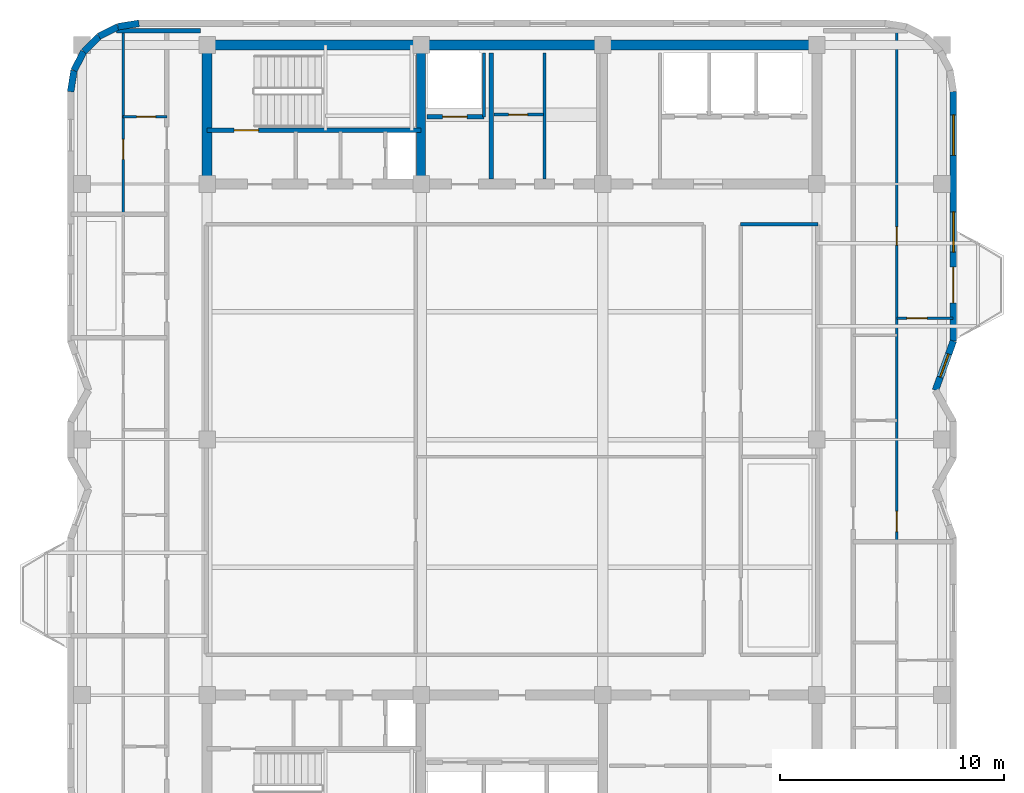
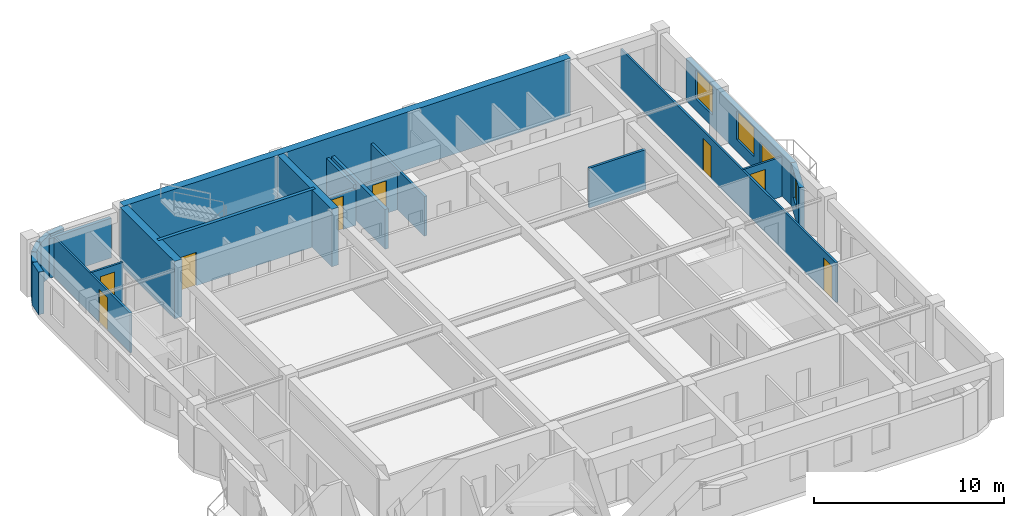
# One storey, part 6 of 9: 22 walls, 9 doors, 3 windows, 12 openings.
"""IFC4 building model written with IfcOpenShell, lengths in metres."""

import ifcopenshell
import ifcopenshell.guid

model = None  # the IFC model being written
_history = None  # IfcOwnerHistory: only IFC2X3 demands one
_inside = {}  # id of a spatial element -> (the spatial element, [elements in it])
_under = {}  # id of a project, library or spatial element -> (it, [spatial elements below it])
_declared = {}  # id of a project -> (the project, [libraries it declares])
_typed = {}  # id of a type object -> (the type object, [elements of that type])
_made_of = {}  # id of a material, layer set ... -> (it, [elements and type objects made of it])


def new_model(schema):
    """Start an empty IFC model of exactly this schema.

    Asked for "IFC4X3", IfcOpenShell would pick the latest addendum, in which some entities
    have other attributes; the version numbers below select the first issue.
    IFC2X3 requires an IfcOwnerHistory on every rooted entity: one is made here for all.
    """
    global model, _history
    if schema == "IFC4X3":
        model = ifcopenshell.file(schema_version=(4, 3, 0, 0))
    else:
        model = ifcopenshell.file(schema=schema)
    _inside.clear()
    _under.clear()
    _declared.clear()
    _typed.clear()
    _made_of.clear()
    _history = None
    if model.schema == "IFC2X3":
        org = make("IfcOrganization", Name="unknown")
        user = make(
            "IfcPersonAndOrganization",
            ThePerson=make("IfcPerson", FamilyName="unknown"),
            TheOrganization=org,
        )
        app = make(
            "IfcApplication",
            ApplicationDeveloper=org,
            Version="unknown",
            ApplicationFullName="unknown",
            ApplicationIdentifier="unknown",
        )
        _history = make(
            "IfcOwnerHistory",
            OwningUser=user,
            OwningApplication=app,
            ChangeAction="ADDED",
            CreationDate=0,
        )
    return model


def make(cls, **values):
    """One entity of the class cls with the attributes given. An attribute that is None is left unset."""
    return model.create_entity(
        cls, **{name: value for name, value in values.items() if value is not None}
    )


def rooted(cls, **values):
    """An entity with a GlobalId (a new one), such as an element, a storey or a relation."""
    return make(cls, GlobalId=ifcopenshell.guid.new(), OwnerHistory=_history, **values)


def si_unit(unit_type, name, prefix=None):
    """IfcSIUnit, for example si_unit("LENGTHUNIT", "METRE", prefix="MILLI")."""
    return make("IfcSIUnit", UnitType=unit_type, Prefix=prefix, Name=name)


def assignment(units):
    """IfcUnitAssignment: the units of a project."""
    return None if units is None else make("IfcUnitAssignment", Units=units)


def point(xyz):
    """IfcCartesianPoint."""
    return None if xyz is None else make("IfcCartesianPoint", Coordinates=xyz)


def direction(xyz):
    """IfcDirection."""
    return None if xyz is None else make("IfcDirection", DirectionRatios=xyz)


def frame(location, z_axis=None, x_axis=None):
    """IfcAxis2Placement3D, a coordinate frame: its origin and axes. An axis left out is left unset."""
    return make(
        "IfcAxis2Placement3D",
        Location=point(location),
        Axis=direction(z_axis),
        RefDirection=direction(x_axis),
    )


def frame_2d(location, x_axis=None):
    """IfcAxis2Placement2D, a coordinate frame in the plane: its origin and x axis."""
    return make(
        "IfcAxis2Placement2D", Location=point(location), RefDirection=direction(x_axis)
    )


def origin():
    """The frame at (0, 0, 0) with its axes left unset."""
    return frame((0.0, 0.0, 0.0))


def place(relative_to, where):
    """IfcLocalPlacement: puts the frame where relative to a parent placement (None: the world)."""
    return make(
        "IfcLocalPlacement", PlacementRelTo=relative_to, RelativePlacement=where
    )


def context(
    kind, dimensions, precision=None, world=None, true_north=None, identifier=None
):
    """IfcGeometricRepresentationContext, for example the 3D "Model" context."""
    return make(
        "IfcGeometricRepresentationContext",
        ContextIdentifier=identifier,
        ContextType=kind,
        CoordinateSpaceDimension=dimensions,
        Precision=precision,
        WorldCoordinateSystem=world,
        TrueNorth=true_north,
    )


def subcontext(parent, identifier, kind, view, scale=None):
    """IfcGeometricRepresentationSubContext, for example "Body" below "Model"."""
    return make(
        "IfcGeometricRepresentationSubContext",
        ContextIdentifier=identifier,
        ContextType=kind,
        ParentContext=parent,
        TargetScale=scale,
        TargetView=view,
    )


def project(units=None, contexts=None):
    """IfcProject with its units and contexts."""
    return rooted(
        "IfcProject",
        Name="project",
        RepresentationContexts=contexts,
        UnitsInContext=assignment(units),
    )


def spatial(cls, under=None, at=None, **own):
    """A site, building, storey or space (cls), placed at a placement, below another one or the project."""
    s = rooted(cls, ObjectPlacement=at, **own)
    if under is not None:
        _under.setdefault(under.id(), (under, []))[1].append(s)
    return s


def profile(cls, at=None, kind="AREA", **sizes):
    """A parametric profile (cls). Its sizes go by their IFC names, for example OverallWidth=200.0."""
    return make(cls, ProfileType=kind, Position=at, **sizes)


def rectangle(**sizes):
    """IfcRectangleProfileDef."""
    return profile("IfcRectangleProfileDef", **sizes)


def extrude(swept, where, along, depth):
    """IfcExtrudedAreaSolid: the profile swept, set in the frame where, extruded along a direction by depth."""
    return make(
        "IfcExtrudedAreaSolid",
        SweptArea=swept,
        Position=where,
        ExtrudedDirection=direction(along),
        Depth=depth,
    )


def shape(context_of_items, identifier, shape_type, items):
    """IfcShapeRepresentation: the items that make up one representation, for example the "Body"."""
    return make(
        "IfcShapeRepresentation",
        ContextOfItems=context_of_items,
        RepresentationIdentifier=identifier,
        RepresentationType=shape_type,
        Items=items,
    )


def material(Name=None, Category=None):
    """IfcMaterial."""
    return make("IfcMaterial", Name=Name, Category=Category)


def layer(
    of_material, thickness, ventilated=None, Name=None, Category=None, Priority=None
):
    """IfcMaterialLayer: one layer of a wall or slab, of a material (None: an air gap)."""
    return make(
        "IfcMaterialLayer",
        Material=of_material,
        LayerThickness=thickness,
        IsVentilated=ventilated,
        Name=Name,
        Category=Category,
        Priority=Priority,
    )


def layer_set(layers, Name=None):
    """IfcMaterialLayerSet."""
    return make("IfcMaterialLayerSet", MaterialLayers=layers, LayerSetName=Name)


def made_of(thing, what):
    """Note that an element or type object is made of a material, layer set ...; save() writes the relation."""
    if what is not None:
        _made_of.setdefault(what.id(), (what, []))[1].append(thing)
    return thing


def type_object(cls, material=None, **own):
    """A type object (cls), such as IfcWallType, which elements share."""
    return made_of(rooted(cls, **own), material)


def element(
    cls,
    number,
    at=None,
    inside=None,
    cuts=None,
    type_object=None,
    material=None,
    context=None,
    identifier="Body",
    shape_type=None,
    held_by="IfcProductDefinitionShape",
    body=None,
    shapes=None,
    **own,
):
    """One element of the class cls, such as IfcWall. Its Tag is "e" and its number.

    at: its placement. inside: the storey or other place that contains it. cuts: it is an
    opening in that element (IfcRelVoidsElement). A single representation is given by context,
    identifier, shape_type and body (its items); several are given by shapes. held_by: the class
    of the entity that holds the representations. save() writes the other relations.
    """
    e = rooted(cls, Tag="e%d" % number, ObjectPlacement=at, **own)
    if body is not None:
        shapes = [shape(context, identifier, shape_type, body)]
    if shapes is not None:
        e.Representation = make(held_by, Representations=shapes)
    if inside is not None:
        _inside.setdefault(inside.id(), (inside, []))[1].append(e)
    if cuts is not None:
        rooted(
            "IfcRelVoidsElement", RelatingBuildingElement=cuts, RelatedOpeningElement=e
        )
    if type_object is not None:
        _typed.setdefault(type_object.id(), (type_object, []))[1].append(e)
    return made_of(e, material)


def fill(opening, filler):
    """IfcRelFillsElement: the door or window that sits in an opening."""
    return rooted(
        "IfcRelFillsElement",
        RelatingOpeningElement=opening,
        RelatedBuildingElement=filler,
    )


def aggregate(whole, parts):
    """IfcRelAggregates: a whole, such as a stair, and the parts it consists of."""
    return rooted("IfcRelAggregates", RelatingObject=whole, RelatedObjects=parts)


def save(model, path):
    """Write the relations noted so far, then the file.

    IfcRelAggregates (storeys below a building ...), IfcRelContainedInSpatialStructure (elements
    in a storey), IfcRelDefinesByType, IfcRelAssociatesMaterial and IfcRelDeclares: one each for
    every whole, place, type object, material and project.
    """
    for whole, parts in _under.values():
        aggregate(whole, parts)
    for where, things in _inside.values():
        rooted(
            "IfcRelContainedInSpatialStructure",
            RelatedElements=things,
            RelatingStructure=where,
        )
    for kind, things in _typed.values():
        rooted("IfcRelDefinesByType", RelatedObjects=things, RelatingType=kind)
    for what, things in _made_of.values():
        rooted("IfcRelAssociatesMaterial", RelatedObjects=things, RelatingMaterial=what)
    for by, libraries in _declared.values():
        rooted("IfcRelDeclares", RelatingContext=by, RelatedDefinitions=libraries)
    model.write(path)


model = new_model("IFC4")

# Units and contexts
model_context = context("Model", 3, precision=1e-05, world=origin(), true_north=direction((0.0, 1.0)))
body_context = subcontext(model_context, "Body", "Model", "MODEL_VIEW")
ifc_project = project(units=[si_unit("LENGTHUNIT", "METRE"), si_unit("AREAUNIT", "SQUARE_METRE"), si_unit("VOLUMEUNIT", "CUBIC_METRE"), si_unit("PLANEANGLEUNIT", "RADIAN"), si_unit("MASSUNIT", "GRAM", prefix="KILO")], contexts=[model_context])

# Site, building, storey
site_placement = place(None, origin())
site = spatial("IfcSite", under=ifc_project, at=site_placement, CompositionType="ELEMENT")
building_placement = place(site_placement, origin())
building = spatial("IfcBuilding", under=site, at=building_placement, Name="Svetorya Sky Lyceum", CompositionType="ELEMENT")
storey_placement = place(building_placement, frame((0.0, 0.0, 271.300048828125)))
storey = spatial("IfcBuildingStorey", under=building, at=storey_placement, Name="L68", CompositionType="ELEMENT", Elevation=271.300048828125)

# Walls
ifc_material_1 = material(Name="Concrete C40/50", Category="concrete")
ifc_layer_1 = layer(ifc_material_1, 0.39990234375)
ifc_layer_set_1 = layer_set([ifc_layer_1], Name="Concrete C40/50")
wall_type_1 = type_object("IfcWallType", Name="WL-CORE-400", PredefinedType="SHEAR", material=ifc_layer_set_1)
wall_1_placement = place(storey_placement, frame((35.14990234375, 39.824951171875, 0.0), z_axis=(0.0, 0.0, 1.0), x_axis=(0.0, 1.0, 0.0)))
element("IfcWall", 1, at=wall_1_placement, inside=storey, type_object=wall_type_1, Name="L68 NC Internal Shear Web WEB1", PredefinedType="SHEAR", context=body_context, shape_type="SweptSolid", body=[
    extrude(rectangle(XDim=5.75, YDim=0.39990234375, at=frame_2d((2.875, 0.0))), origin(), (0.0, 0.0, 1.0), 3.699951171875),
])
ifc_material_2 = material(Name="Concrete C50/60", Category="concrete")
ifc_layer_2 = layer(ifc_material_2, 0.449951171875)
ifc_layer_set_2 = layer_set([ifc_layer_2], Name="Concrete C50/60")
wall_type_2 = type_object("IfcWallType", Name="WL-CORE-450", PredefinedType="SHEAR", material=ifc_layer_set_2)
wall_2_placement = place(storey_placement, frame((25.60009765625, 45.800048828125, 0.0), z_axis=(0.0, 0.0, 1.0), x_axis=(1.0, 0.0, 0.0)))
element("IfcWall", 2, at=wall_2_placement, inside=storey, type_object=wall_type_2, Name="L68 NC Outer Core Shear Wall", PredefinedType="SHEAR", context=body_context, shape_type="SweptSolid", body=[
    extrude(rectangle(XDim=27.199951171875, YDim=0.449951171875, at=frame_2d((13.60009765625, 0.0))), origin(), (0.0, 0.0, 1.0), 3.699951171875),
])
wall_3_placement = place(storey_placement, frame((25.60009765625, 39.824951171875, 0.0), z_axis=(0.0, 0.0, 1.0), x_axis=(0.0, 1.0, 0.0)))
element("IfcWall", 3, at=wall_3_placement, inside=storey, type_object=wall_type_2, Name="L68 NC West Core Shear Wall", PredefinedType="SHEAR", context=body_context, shape_type="SweptSolid", body=[
    extrude(rectangle(XDim=5.75, YDim=0.449951171875, at=frame_2d((2.875, 0.0))), origin(), (0.0, 0.0, 1.0), 3.699951171875),
])

# Wall, opening, window
ifc_material_3 = material(Name="Putilovo limestone rainscreen on autoclaved cellular masonry", Category="masonry")
ifc_layer_3 = layer(ifc_material_3, 0.300048828125)
ifc_layer_set_3 = layer_set([ifc_layer_3], Name="Putilovo limestone rainscreen on autoclaved cellular masonry")
wall_type_3 = type_object("IfcWallType", Name="WL-EXT-300", PredefinedType="SOLIDWALL", material=ifc_layer_set_3)
wall_4_placement = place(storey_placement, frame((58.090087890625, 30.39990234375, 0.0), z_axis=(0.0, 0.0, 1.0), x_axis=(0.341642580708, 0.939829956453, 0.0)))
wall_4 = element("IfcWall", 4, at=wall_4_placement, inside=storey, type_object=wall_type_3, Name="L68 Limestone Exterior Wall 17M", PredefinedType="SOLIDWALL", context=body_context, shape_type="SweptSolid", body=[
    extrude(rectangle(XDim=2.341064453125, YDim=0.300048828125, at=frame_2d((1.17041015625, 0.0))), origin(), (0.0, 0.0, 1.0), 2.72998046875),
])
opening_1_placement = place(wall_4_placement, frame((0.62060546875, 0.0, 0.919921875)))
opening_1 = element("IfcOpeningElement", 5, at=opening_1_placement, cuts=wall_4, Name="Opening W-R3", PredefinedType="OPENING", context=body_context, shape_type="SweptSolid", body=[
    extrude(rectangle(XDim=1.10009765625, YDim=1.64990234375, at=frame_2d((0.550048828125, 0.824951171875))), frame((0.0, 0.159912109375, 0.0), z_axis=(0.0, -1.0, 0.0), x_axis=(1.0, 0.0, 0.0)), (0.0, 0.0, 1.0), 0.320068359375),
])
ifc_material_4 = material(Name="Thermally broken aluminium frame with triple low-E glazing", Category="aluminium")
window_type_1 = type_object("IfcWindowType", Name="WN-RES-110", PartitioningType="SINGLE_PANEL", PredefinedType="WINDOW", material=ifc_material_4)
window_1_placement = place(opening_1_placement, origin())
window_1 = element("IfcWindow", 6, at=window_1_placement, inside=storey, type_object=window_type_1, Name="L68 Facade Window W-R3.17M.1", OverallHeight=1.64990234375, OverallWidth=1.10009765625, PartitioningType="SINGLE_PANEL", PredefinedType="WINDOW", context=body_context, shape_type="SweptSolid", body=[
    extrude(rectangle(XDim=1.10009765625, YDim=1.64990234375, at=frame_2d((0.550048828125, 0.824951171875))), frame((0.0, 0.030029296875, 0.0), z_axis=(0.0, -1.0, 0.0), x_axis=(1.0, 0.0, 0.0)), (0.0, 0.0, 1.0), 0.06005859375),
])
fill(opening_1, window_1)

# Wall, openings, door, windows
wall_5_placement = place(storey_placement, frame((58.889892578125, 32.60009765625, 0.0), z_axis=(0.0, 0.0, 1.0), x_axis=(0.0, 1.0, 0.0)))
wall_5 = element("IfcWall", 7, at=wall_5_placement, inside=storey, type_object=wall_type_3, Name="L68 Limestone Exterior Wall 18M", PredefinedType="SOLIDWALL", context=body_context, shape_type="SweptSolid", body=[
    extrude(rectangle(XDim=11.119873046875, YDim=0.300048828125, at=frame_2d((5.56005859375, 0.0))), origin(), (0.0, 0.0, 1.0), 2.72998046875),
])
opening_2_placement = place(wall_5_placement, frame((1.699951171875, 0.0, 0.0)))
opening_2 = element("IfcOpeningElement", 8, at=opening_2_placement, cuts=wall_5, Name="Opening D-BL1", PredefinedType="OPENING", context=body_context, shape_type="SweptSolid", body=[
    extrude(rectangle(XDim=1.60009765625, YDim=2.10009765625, at=frame_2d((0.800048828125, 1.050048828125))), frame((0.0, 0.159912109375, 0.0), z_axis=(0.0, -1.0, 0.0), x_axis=(1.0, 0.0, 0.0)), (0.0, 0.0, 1.0), 0.320068359375),
])
opening_3_placement = place(wall_5_placement, frame((3.9599609375, 0.0, 0.760009765625)))
opening_3 = element("IfcOpeningElement", 9, at=opening_3_placement, cuts=wall_5, Name="Opening W-R1", PredefinedType="OPENING", context=body_context, shape_type="SweptSolid", body=[
    extrude(rectangle(XDim=1.800048828125, YDim=1.85009765625, at=frame_2d((0.89990234375, 0.925048828125))), frame((0.0, 0.159912109375, 0.0), z_axis=(0.0, -1.0, 0.0), x_axis=(1.0, 0.0, 0.0)), (0.0, 0.0, 1.0), 0.320068359375),
])
opening_4_placement = place(wall_5_placement, frame((8.283203125, 0.0, 0.760009765625)))
opening_4 = element("IfcOpeningElement", 10, at=opening_4_placement, cuts=wall_5, Name="Opening W-R1", PredefinedType="OPENING", context=body_context, shape_type="SweptSolid", body=[
    extrude(rectangle(XDim=1.800048828125, YDim=1.85009765625, at=frame_2d((0.89990234375, 0.925048828125))), frame((0.0, 0.159912109375, 0.0), z_axis=(0.0, -1.0, 0.0), x_axis=(1.0, 0.0, 0.0)), (0.0, 0.0, 1.0), 0.320068359375),
])
ifc_material_5 = material(Name="Insulated glazed aluminium balcony door", Category="aluminium")
door_type_1 = type_object("IfcDoorType", Name="DR-BAL-1600", OperationType="DOUBLE_DOOR_SINGLE_SWING", PredefinedType="DOOR", material=ifc_material_5)
door_1_placement = place(opening_2_placement, origin())
door_1 = element("IfcDoor", 11, at=door_1_placement, inside=storey, type_object=door_type_1, Name="L68 Balcony BAL-E1 Door", OperationType="DOUBLE_DOOR_SINGLE_SWING", OverallHeight=2.10009765625, OverallWidth=1.60009765625, PredefinedType="DOOR", context=body_context, shape_type="SweptSolid", body=[
    extrude(rectangle(XDim=1.60009765625, YDim=2.10009765625, at=frame_2d((0.800048828125, 1.050048828125))), frame((0.0, 0.02490234375, 0.0), z_axis=(0.0, -1.0, 0.0), x_axis=(1.0, 0.0, 0.0)), (0.0, 0.0, 1.0), 0.050048828125),
])
fill(opening_2, door_1)
window_type_2 = type_object("IfcWindowType", Name="WN-RES-180", PartitioningType="DOUBLE_PANEL_VERTICAL", PredefinedType="WINDOW", material=ifc_material_4)
window_2_placement = place(opening_3_placement, origin())
window_2 = element("IfcWindow", 12, at=window_2_placement, inside=storey, type_object=window_type_2, Name="L68 Facade Window W-R1.18M.1", OverallHeight=1.85009765625, OverallWidth=1.800048828125, PartitioningType="SINGLE_PANEL", PredefinedType="WINDOW", context=body_context, shape_type="SweptSolid", body=[
    extrude(rectangle(XDim=1.800048828125, YDim=1.85009765625, at=frame_2d((0.89990234375, 0.925048828125))), frame((0.0, 0.030029296875, 0.0), z_axis=(0.0, -1.0, 0.0), x_axis=(1.0, 0.0, 0.0)), (0.0, 0.0, 1.0), 0.06005859375),
])
fill(opening_3, window_2)
window_3_placement = place(opening_4_placement, origin())
window_3 = element("IfcWindow", 13, at=window_3_placement, inside=storey, type_object=window_type_2, Name="L68 Facade Window W-R1.18M.2", OverallHeight=1.85009765625, OverallWidth=1.800048828125, PartitioningType="SINGLE_PANEL", PredefinedType="WINDOW", context=body_context, shape_type="SweptSolid", body=[
    extrude(rectangle(XDim=1.800048828125, YDim=1.85009765625, at=frame_2d((0.89990234375, 0.925048828125))), frame((0.0, 0.030029296875, 0.0), z_axis=(0.0, -1.0, 0.0), x_axis=(1.0, 0.0, 0.0)), (0.0, 0.0, 1.0), 0.06005859375),
])
fill(opening_4, window_3)

# Walls
wall_6_placement = place(storey_placement, frame((22.56005859375, 46.77001953125, 0.0), z_axis=(0.0, 0.0, 1.0), x_axis=(-0.987669453596, -0.156553666304, 0.0)))
element("IfcWall", 14, at=wall_6_placement, inside=storey, type_object=wall_type_3, Name="L68 Limestone Exterior Wall 25M", PredefinedType="SOLIDWALL", context=body_context, shape_type="SweptSolid", body=[
    extrude(rectangle(XDim=0.954345703125, YDim=0.300048828125, at=frame_2d((0.47705078125, 0.0))), origin(), (0.0, 0.0, 1.0), 2.72998046875),
])
wall_7_placement = place(storey_placement, frame((21.617431640625, 46.62060546875, 0.0), z_axis=(0.0, 0.0, 1.0), x_axis=(-0.891023873617, -0.45395644796, 0.0)))
element("IfcWall", 15, at=wall_7_placement, inside=storey, type_object=wall_type_3, Name="L68 Limestone Exterior Wall 26M", PredefinedType="SOLIDWALL", context=body_context, shape_type="SweptSolid", body=[
    extrude(rectangle(XDim=0.9541015625, YDim=0.300048828125, at=frame_2d((0.47705078125, 0.0))), origin(), (0.0, 0.0, 1.0), 2.72998046875),
])
wall_8_placement = place(storey_placement, frame((20.767333984375, 46.1875, 0.0), z_axis=(0.0, 0.0, 1.0), x_axis=(-0.707106781187, -0.707106781187, 0.0)))
element("IfcWall", 16, at=wall_8_placement, inside=storey, type_object=wall_type_3, Name="L68 Limestone Exterior Wall 27M", PredefinedType="SOLIDWALL", context=body_context, shape_type="SweptSolid", body=[
    extrude(rectangle(XDim=0.954345703125, YDim=0.300048828125, at=frame_2d((0.47705078125, 0.0))), origin(), (0.0, 0.0, 1.0), 2.72998046875),
])
wall_9_placement = place(storey_placement, frame((20.092529296875, 45.5126953125, 0.0), z_axis=(0.0, 0.0, 1.0), x_axis=(-0.454159573051, -0.890920356825, 0.0)))
element("IfcWall", 17, at=wall_9_placement, inside=storey, type_object=wall_type_3, Name="L68 Limestone Exterior Wall 28M", PredefinedType="SOLIDWALL", context=body_context, shape_type="SweptSolid", body=[
    extrude(rectangle(XDim=0.9541015625, YDim=0.300048828125, at=frame_2d((0.47705078125, 0.0))), origin(), (0.0, 0.0, 1.0), 2.72998046875),
])
wall_10_placement = place(storey_placement, frame((19.6591796875, 44.66259765625, 0.0), z_axis=(0.0, 0.0, 1.0), x_axis=(-0.156304114255, -0.987708977314, 0.0)))
element("IfcWall", 18, at=wall_10_placement, inside=storey, type_object=wall_type_3, Name="L68 Limestone Exterior Wall 29M", PredefinedType="SOLIDWALL", context=body_context, shape_type="SweptSolid", body=[
    extrude(rectangle(XDim=0.954345703125, YDim=0.300048828125, at=frame_2d((0.47705078125, 0.0))), origin(), (0.0, 0.0, 1.0), 2.72998046875),
])

# Wall, opening, door
ifc_material_6 = material(Name="Twin-stud galvanized framing with double fireboard", Category="gypsum")
ifc_layer_4 = layer(ifc_material_6, 0.1201171875)
ifc_layer_set_4 = layer_set([ifc_layer_4], Name="Twin-stud galvanized framing with double fireboard")
wall_type_4 = type_object("IfcWallType", Name="WL-PART-120", PredefinedType="PARTITIONING", material=ifc_layer_set_4)
wall_11_placement = place(storey_placement, frame((38.39990234375, 42.699951171875, 0.0), z_axis=(0.0, 0.0, 1.0), x_axis=(1.0, 0.0, 0.0)))
wall_11 = element("IfcWall", 19, at=wall_11_placement, inside=storey, type_object=wall_type_4, Name="L68 Interior Partition NC-FPM-H", PredefinedType="PARTITIONING", context=body_context, shape_type="SweptSolid", body=[
    extrude(rectangle(XDim=2.2001953125, YDim=0.1201171875, at=frame_2d((1.10009765625, 0.0))), origin(), (0.0, 0.0, 1.0), 2.329833984375),
])
opening_5_placement = place(wall_11_placement, frame((0.64990234375, 0.0, 0.0)))
opening_5 = element("IfcOpeningElement", 20, at=opening_5_placement, cuts=wall_11, Name="Opening D-CWC1", PredefinedType="OPENING", context=body_context, shape_type="SweptSolid", body=[
    extrude(rectangle(XDim=0.85009765625, YDim=2.10009765625, at=frame_2d((0.425048828125, 1.050048828125))), frame((0.0, 0.070068359375, 0.0), z_axis=(0.0, -1.0, 0.0), x_axis=(1.0, 0.0, 0.0)), (0.0, 0.0, 1.0), 0.14013671875),
])
ifc_material_7 = material(Name="Fire-rated galvanized steel core service closet door", Category="steel")
door_type_2 = type_object("IfcDoorType", Name="DR-CWET-850", OperationType="SINGLE_SWING_LEFT", PredefinedType="DOOR", material=ifc_material_7)
door_2_placement = place(opening_5_placement, origin())
door_2 = element("IfcDoor", 21, at=door_2_placement, inside=storey, type_object=door_type_2, Name="L68 Rear IT Closet Door", OperationType="SINGLE_SWING_LEFT", OverallHeight=2.10009765625, OverallWidth=0.85009765625, PredefinedType="DOOR", context=body_context, shape_type="SweptSolid", body=[
    extrude(rectangle(XDim=0.85009765625, YDim=2.10009765625, at=frame_2d((0.425048828125, 1.050048828125))), frame((0.0, 0.02490234375, 0.0), z_axis=(0.0, -1.0, 0.0), x_axis=(1.0, 0.0, 0.0)), (0.0, 0.0, 1.0), 0.050048828125),
])
fill(opening_5, door_2)

wall_12_placement = place(storey_placement, frame((21.85009765625, 42.60009765625, 0.0), z_axis=(0.0, 0.0, 1.0), x_axis=(1.0, 0.0, 0.0)))
wall_12 = element("IfcWall", 22, at=wall_12_placement, inside=storey, type_object=wall_type_4, Name="L68 Interior Partition W4-WH1", PredefinedType="PARTITIONING", context=body_context, shape_type="SweptSolid", body=[
    extrude(rectangle(XDim=1.949951171875, YDim=0.1201171875, at=frame_2d((0.97509765625, 0.0))), origin(), (0.0, 0.0, 1.0), 2.56005859375),
])
opening_6_placement = place(wall_12_placement, frame((0.60009765625, 0.0, 0.0)))
opening_6 = element("IfcOpeningElement", 23, at=opening_6_placement, cuts=wall_12, Name="Opening D-BT1", PredefinedType="OPENING", context=body_context, shape_type="SweptSolid", body=[
    extrude(rectangle(XDim=0.85009765625, YDim=2.10009765625, at=frame_2d((0.425048828125, 1.050048828125))), frame((0.0, 0.070068359375, 0.0), z_axis=(0.0, -1.0, 0.0), x_axis=(1.0, 0.0, 0.0)), (0.0, 0.0, 1.0), 0.14013671875),
])
ifc_material_8 = material(Name="Moisture-resistant laminate bathroom door")
door_type_3 = type_object("IfcDoorType", Name="DR-WET-850", OperationType="SINGLE_SWING_LEFT", PredefinedType="DOOR", material=ifc_material_8)
door_3_placement = place(opening_6_placement, origin())
door_3 = element("IfcDoor", 24, at=door_3_placement, inside=storey, type_object=door_type_3, Name="Apartment W4 Bathroom Door", OperationType="SINGLE_SWING_RIGHT", OverallHeight=2.10009765625, OverallWidth=0.85009765625, PredefinedType="DOOR", context=body_context, shape_type="SweptSolid", body=[
    extrude(rectangle(XDim=0.85009765625, YDim=2.10009765625, at=frame_2d((0.425048828125, 1.050048828125))), frame((0.0, 0.02490234375, 0.0), z_axis=(0.0, -1.0, 0.0), x_axis=(1.0, 0.0, 0.0)), (0.0, 0.0, 1.0), 0.050048828125),
])
fill(opening_6, door_3)

wall_13_placement = place(storey_placement, frame((21.85009765625, 38.2900390625, 0.0), z_axis=(0.0, 0.0, 1.0), x_axis=(0.0, 1.0, 0.0)))
wall_13 = element("IfcWall", 25, at=wall_13_placement, inside=storey, type_object=wall_type_4, Name="L68 Interior Partition W4-WV", PredefinedType="PARTITIONING", context=body_context, shape_type="SweptSolid", body=[
    extrude(rectangle(XDim=8.119873046875, YDim=0.1201171875, at=frame_2d((4.06005859375, 0.0))), origin(), (0.0, 0.0, 1.0), 2.56005859375),
])
opening_7_placement = place(wall_13_placement, frame((2.409912109375, 0.0, 0.0)))
opening_7 = element("IfcOpeningElement", 26, at=opening_7_placement, cuts=wall_13, Name="Opening D-RM1", PredefinedType="OPENING", context=body_context, shape_type="SweptSolid", body=[
    extrude(rectangle(XDim=0.89990234375, YDim=2.10009765625, at=frame_2d((0.449951171875, 1.050048828125))), frame((0.0, 0.070068359375, 0.0), z_axis=(0.0, -1.0, 0.0), x_axis=(1.0, 0.0, 0.0)), (0.0, 0.0, 1.0), 0.14013671875),
])
ifc_material_9 = material(Name="Lacquered birch veneer internal door")
door_type_4 = type_object("IfcDoorType", Name="DR-INT-900", OperationType="SINGLE_SWING_LEFT", PredefinedType="DOOR", material=ifc_material_9)
door_4_placement = place(opening_7_placement, origin())
door_4 = element("IfcDoor", 27, at=door_4_placement, inside=storey, type_object=door_type_4, Name="Apartment W4 Living Door", OperationType="SINGLE_SWING_LEFT", OverallHeight=2.10009765625, OverallWidth=0.89990234375, PredefinedType="DOOR", context=body_context, shape_type="SweptSolid", body=[
    extrude(rectangle(XDim=0.89990234375, YDim=2.10009765625, at=frame_2d((0.449951171875, 1.050048828125))), frame((0.0, 0.02490234375, 0.0), z_axis=(0.0, -1.0, 0.0), x_axis=(1.0, 0.0, 0.0)), (0.0, 0.0, 1.0), 0.050048828125),
])
fill(opening_7, door_4)

wall_14_placement = place(storey_placement, frame((56.3701171875, 33.6201171875, 0.0), z_axis=(0.0, 0.0, 1.0), x_axis=(1.0, 0.0, 0.0)))
wall_14 = element("IfcWall", 28, at=wall_14_placement, inside=storey, type_object=wall_type_4, Name="L68 Interior Partition E2-WL1", PredefinedType="PARTITIONING", context=body_context, shape_type="SweptSolid", body=[
    extrude(rectangle(XDim=2.5, YDim=0.1201171875, at=frame_2d((1.25, 0.0))), origin(), (0.0, 0.0, 1.0), 2.56005859375),
])
opening_8_placement = place(wall_14_placement, frame((0.449951171875, 0.0, 0.0)))
opening_8 = element("IfcOpeningElement", 29, at=opening_8_placement, cuts=wall_14, Name="Opening D-RM1", PredefinedType="OPENING", context=body_context, shape_type="SweptSolid", body=[
    extrude(rectangle(XDim=0.89990234375, YDim=2.10009765625, at=frame_2d((0.449951171875, 1.050048828125))), frame((0.0, 0.070068359375, 0.0), z_axis=(0.0, -1.0, 0.0), x_axis=(1.0, 0.0, 0.0)), (0.0, 0.0, 1.0), 0.14013671875),
])
door_5_placement = place(opening_8_placement, origin())
door_5 = element("IfcDoor", 30, at=door_5_placement, inside=storey, type_object=door_type_4, Name="Apartment E2 Bedroom 1 Door", OperationType="SINGLE_SWING_LEFT", OverallHeight=2.10009765625, OverallWidth=0.89990234375, PredefinedType="DOOR", context=body_context, shape_type="SweptSolid", body=[
    extrude(rectangle(XDim=0.89990234375, YDim=2.10009765625, at=frame_2d((0.449951171875, 1.050048828125))), frame((0.0, 0.02490234375, 0.0), z_axis=(0.0, -1.0, 0.0), x_axis=(1.0, 0.0, 0.0)), (0.0, 0.0, 1.0), 0.050048828125),
])
fill(opening_8, door_5)

# Wall, openings, doors
wall_15_placement = place(storey_placement, frame((56.3701171875, 23.68994140625, 0.0), z_axis=(0.0, 0.0, 1.0), x_axis=(0.0, 1.0, 0.0)))
wall_15 = element("IfcWall", 31, at=wall_15_placement, inside=storey, type_object=wall_type_4, Name="L68 Interior Partition E2-WV", PredefinedType="PARTITIONING", context=body_context, shape_type="SweptSolid", body=[
    extrude(rectangle(XDim=22.719970703125, YDim=0.1201171875, at=frame_2d((11.35986328125, 0.0))), origin(), (0.0, 0.0, 1.0), 2.56005859375),
])
opening_9_placement = place(wall_15_placement, frame((0.409912109375, 0.0, 0.0)))
opening_9 = element("IfcOpeningElement", 32, at=opening_9_placement, cuts=wall_15, Name="Opening D-RM1", PredefinedType="OPENING", context=body_context, shape_type="SweptSolid", body=[
    extrude(rectangle(XDim=0.89990234375, YDim=2.10009765625, at=frame_2d((0.449951171875, 1.050048828125))), frame((0.0, 0.070068359375, 0.0), z_axis=(0.0, -1.0, 0.0), x_axis=(1.0, 0.0, 0.0)), (0.0, 0.0, 1.0), 0.14013671875),
])
opening_10_placement = place(wall_15_placement, frame((13.18505859375, 0.0, 0.0)))
opening_10 = element("IfcOpeningElement", 33, at=opening_10_placement, cuts=wall_15, Name="Opening D-BT2", PredefinedType="OPENING", context=body_context, shape_type="SweptSolid", body=[
    extrude(rectangle(XDim=0.820068359375, YDim=2.080078125, at=frame_2d((0.41015625, 1.0400390625))), frame((0.0, 0.070068359375, 0.0), z_axis=(0.0, -1.0, 0.0), x_axis=(1.0, 0.0, 0.0)), (0.0, 0.0, 1.0), 0.14013671875),
])
door_6_placement = place(opening_9_placement, origin())
door_6 = element("IfcDoor", 34, at=door_6_placement, inside=storey, type_object=door_type_4, Name="Apartment E2 Living Door", OperationType="SINGLE_SWING_RIGHT", OverallHeight=2.10009765625, OverallWidth=0.89990234375, PredefinedType="DOOR", context=body_context, shape_type="SweptSolid", body=[
    extrude(rectangle(XDim=0.89990234375, YDim=2.10009765625, at=frame_2d((0.449951171875, 1.050048828125))), frame((0.0, 0.02490234375, 0.0), z_axis=(0.0, -1.0, 0.0), x_axis=(1.0, 0.0, 0.0)), (0.0, 0.0, 1.0), 0.050048828125),
])
fill(opening_9, door_6)
ifc_material_10 = material(Name="Compact moisture-resistant laminate closet door")
door_type_5 = type_object("IfcDoorType", Name="DR-WET-820", OperationType="SINGLE_SWING_LEFT", PredefinedType="DOOR", material=ifc_material_10)
door_7_placement = place(opening_10_placement, origin())
door_7 = element("IfcDoor", 35, at=door_7_placement, inside=storey, type_object=door_type_5, Name="Apartment E2 Study Door", OperationType="SINGLE_SWING_LEFT", OverallHeight=2.080078125, OverallWidth=0.820068359375, PredefinedType="DOOR", context=body_context, shape_type="SweptSolid", body=[
    extrude(rectangle(XDim=0.820068359375, YDim=2.080078125, at=frame_2d((0.41015625, 1.0400390625))), frame((0.0, 0.02490234375, 0.0), z_axis=(0.0, -1.0, 0.0), x_axis=(1.0, 0.0, 0.0)), (0.0, 0.0, 1.0), 0.050048828125),
])
fill(opening_10, door_7)

# Walls
ifc_material_11 = material(Name="Autoclaved cellular masonry blockwork with acoustic render", Category="masonry")
ifc_layer_5 = layer(ifc_material_11, 0.14990234375)
ifc_layer_set_5 = layer_set([ifc_layer_5], Name="Autoclaved cellular masonry blockwork with acoustic render")
wall_type_5 = type_object("IfcWallType", Name="WL-PART-150", PredefinedType="PARTITIONING", material=ifc_layer_set_5)
wall_16_placement = place(storey_placement, frame((37.949951171875, 42.60009765625, 0.0), z_axis=(0.0, 0.0, 1.0), x_axis=(0.0, 1.0, 0.0)))
element("IfcWall", 36, at=wall_16_placement, inside=storey, type_object=wall_type_5, Name="L68 Interior Partition NC-FL1SIDE", PredefinedType="PARTITIONING", context=body_context, shape_type="SweptSolid", body=[
    extrude(rectangle(XDim=2.849853515625, YDim=0.14990234375, at=frame_2d((1.4248046875, 0.0))), origin(), (0.0, 0.0, 1.0), 2.56005859375),
])
wall_17_placement = place(storey_placement, frame((40.64990234375, 39.820068359375, 0.0), z_axis=(0.0, 0.0, 1.0), x_axis=(0.0, 1.0, 0.0)))
element("IfcWall", 37, at=wall_17_placement, inside=storey, type_object=wall_type_5, Name="L68 Interior Partition NC-FPM-V", PredefinedType="PARTITIONING", context=body_context, shape_type="SweptSolid", body=[
    extrude(rectangle(XDim=5.6298828125, YDim=0.14990234375, at=frame_2d((2.81494140625, 0.0))), origin(), (0.0, 0.0, 1.0), 2.56005859375),
])
wall_18_placement = place(storey_placement, frame((49.39990234375, 37.800048828125, 0.0), z_axis=(0.0, 0.0, 1.0), x_axis=(1.0, 0.0, 0.0)))
element("IfcWall", 38, at=wall_18_placement, inside=storey, type_object=wall_type_5, Name="L68 Interior Partition OFF-CN-E", PredefinedType="PARTITIONING", context=body_context, shape_type="SweptSolid", body=[
    extrude(rectangle(XDim=3.4501953125, YDim=0.14990234375, at=frame_2d((1.72509765625, 0.0))), origin(), (0.0, 0.0, 1.0), 2.56005859375),
])

# Wall, opening, door
ifc_material_12 = material(Name="Autoclaved cellular masonry blockwork with gypsum plaster", Category="masonry")
ifc_layer_6 = layer(ifc_material_12, 0.199951171875)
ifc_layer_set_6 = layer_set([ifc_layer_6], Name="Autoclaved cellular masonry blockwork with gypsum plaster")
wall_type_6 = type_object("IfcWallType", Name="WL-PART-200", PredefinedType="PARTITIONING", material=ifc_layer_set_6)
wall_19_placement = place(storey_placement, frame((37.949951171875, 42.60009765625, 0.0), z_axis=(0.0, 0.0, 1.0), x_axis=(-1.0, 0.0, 0.0)))
wall_19 = element("IfcWall", 39, at=wall_19_placement, inside=storey, type_object=wall_type_6, Name="L68 Interior Partition NC-FL1W", PredefinedType="PARTITIONING", context=body_context, shape_type="SweptSolid", body=[
    extrude(rectangle(XDim=2.550048828125, YDim=0.199951171875, at=frame_2d((1.27490234375, 0.0))), origin(), (0.0, 0.0, 1.0), 2.329833984375),
])
opening_11_placement = place(wall_19_placement, frame((0.75, 0.0, 0.0)))
opening_11 = element("IfcOpeningElement", 40, at=opening_11_placement, cuts=wall_19, Name="Opening LD-FL", PredefinedType="OPENING", context=body_context, shape_type="SweptSolid", body=[
    extrude(rectangle(XDim=1.10009765625, YDim=2.14990234375, at=frame_2d((0.550048828125, 1.074951171875))), frame((0.0, 0.10986328125, 0.0), z_axis=(0.0, -1.0, 0.0), x_axis=(1.0, 0.0, 0.0)), (0.0, 0.0, 1.0), 0.219970703125),
])
ifc_material_13 = material(Name="Fire-rated stainless AISI 304 firefighting lift landing door")
door_type_6 = type_object("IfcDoorType", Name="DR-LIFT-1100", OperationType="SLIDING_TO_LEFT", PredefinedType="DOOR", material=ifc_material_13)
door_8_placement = place(opening_11_placement, origin())
door_8 = element("IfcDoor", 41, at=door_8_placement, inside=storey, type_object=door_type_6, Name="L68 Firefighting Lift FL1 Landing Door", OperationType="SLIDING_TO_LEFT", OverallHeight=2.14990234375, OverallWidth=1.10009765625, PredefinedType="DOOR", context=body_context, shape_type="SweptSolid", body=[
    extrude(rectangle(XDim=1.10009765625, YDim=2.14990234375, at=frame_2d((0.550048828125, 1.074951171875))), frame((0.0, 0.02490234375, 0.0), z_axis=(0.0, -1.0, 0.0), x_axis=(1.0, 0.0, 0.0)), (0.0, 0.0, 1.0), 0.050048828125),
])
fill(opening_11, door_8)

# Walls
wall_20_placement = place(storey_placement, frame((38.280029296875, 39.820068359375, 0.0), z_axis=(0.0, 0.0, 1.0), x_axis=(0.0, 1.0, 0.0)))
element("IfcWall", 42, at=wall_20_placement, inside=storey, type_object=wall_type_6, Name="L68 Interior Partition NC-FFLDIV", PredefinedType="PARTITIONING", context=body_context, shape_type="SweptSolid", body=[
    extrude(rectangle(XDim=5.6298828125, YDim=0.199951171875, at=frame_2d((2.81494140625, 0.0))), origin(), (0.0, 0.0, 1.0), 2.56005859375),
])
wall_21_placement = place(storey_placement, frame((21.5458984375, 46.449951171875, 0.0), z_axis=(0.0, 0.0, 1.0), x_axis=(1.0, 0.0, 0.0)))
element("IfcWall", 43, at=wall_21_placement, inside=storey, type_object=wall_type_6, Name="L68 Interior Partition W-CAP-N", PredefinedType="PARTITIONING", context=body_context, shape_type="SweptSolid", body=[
    extrude(rectangle(XDim=3.754150390625, YDim=0.199951171875, at=frame_2d((1.876953125, 0.0))), origin(), (0.0, 0.0, 1.0), 2.56005859375),
])

# Wall, opening, door
ifc_layer_7 = layer(ifc_material_2, 0.199951171875)
ifc_layer_set_7 = layer_set([ifc_layer_7], Name="Concrete C50/60")
wall_type_7 = type_object("IfcWallType", Name="WL-SHW-200", PredefinedType="SHEAR", material=ifc_layer_set_7)
wall_22_placement = place(storey_placement, frame((35.14990234375, 42.0, 0.0), z_axis=(0.0, 0.0, 1.0), x_axis=(-1.0, 0.0, 0.0)))
wall_22 = element("IfcWall", 44, at=wall_22_placement, inside=storey, type_object=wall_type_7, Name="L68 Structural Stair Shaft Wall NC-STW", PredefinedType="SHEAR", context=body_context, shape_type="SweptSolid", body=[
    extrude(rectangle(XDim=9.5498046875, YDim=0.199951171875, at=frame_2d((4.77490234375, 0.0))), origin(), (0.0, 0.0, 1.0), 3.699951171875),
])
opening_12_placement = place(wall_22_placement, frame((7.25, 0.0, 0.0)))
opening_12 = element("IfcOpeningElement", 45, at=opening_12_placement, cuts=wall_22, Name="Opening D-ST1", PredefinedType="OPENING", context=body_context, shape_type="SweptSolid", body=[
    extrude(rectangle(XDim=1.10009765625, YDim=2.14990234375, at=frame_2d((0.550048828125, 1.074951171875))), frame((0.0, 0.10986328125, 0.0), z_axis=(0.0, -1.0, 0.0), x_axis=(1.0, 0.0, 0.0)), (0.0, 0.0, 1.0), 0.219970703125),
])
ifc_material_14 = material(Name="Powder-coated insulated galvanized stair fire door")
door_type_7 = type_object("IfcDoorType", Name="DR-FIRE-1100", OperationType="SINGLE_SWING_LEFT", PredefinedType="DOOR", material=ifc_material_14)
door_9_placement = place(opening_12_placement, origin())
door_9 = element("IfcDoor", 46, at=door_9_placement, inside=storey, type_object=door_type_7, Name="L68 Stair ST-N Vestibule Fire Door", OperationType="SINGLE_SWING_RIGHT", OverallHeight=2.14990234375, OverallWidth=1.10009765625, PredefinedType="DOOR", context=body_context, shape_type="SweptSolid", body=[
    extrude(rectangle(XDim=1.10009765625, YDim=2.14990234375, at=frame_2d((0.550048828125, 1.074951171875))), frame((0.0, 0.02490234375, 0.0), z_axis=(0.0, -1.0, 0.0), x_axis=(1.0, 0.0, 0.0)), (0.0, 0.0, 1.0), 0.050048828125),
])
fill(opening_12, door_9)

save(model, "model.ifc")
